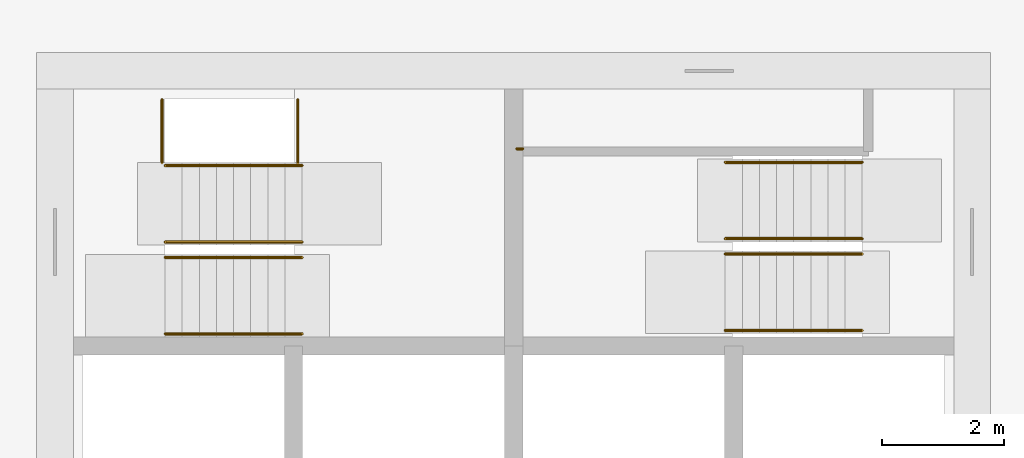
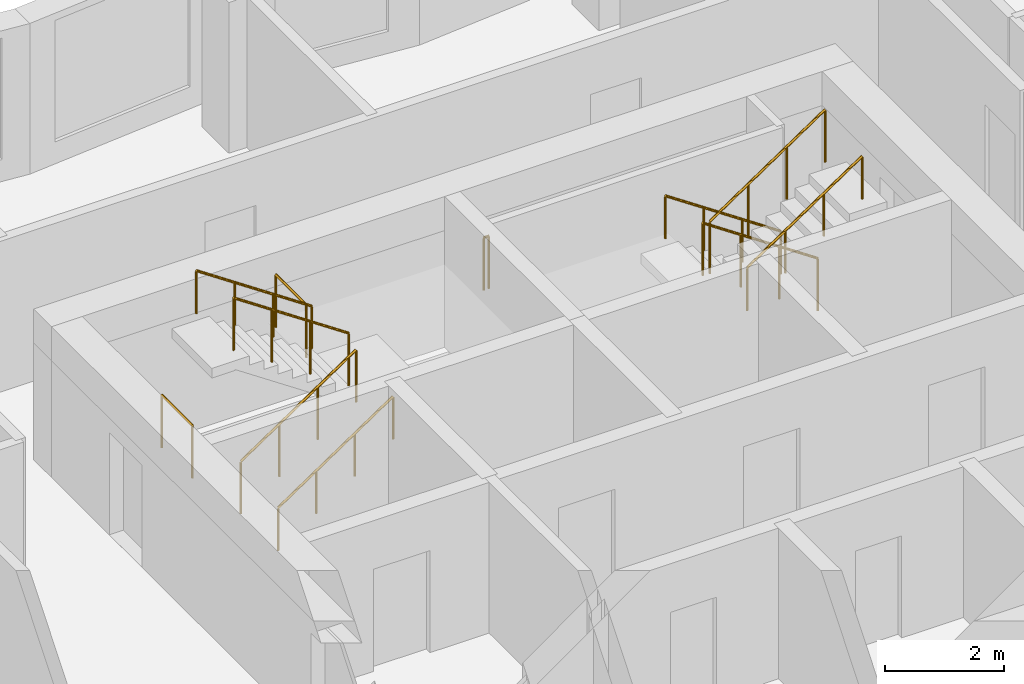
# One storey, part 11 of 12: 11 railings.
"""IFC4 building model written with IfcOpenShell, lengths in metres."""

from ifc_helpers import new_model, si_unit, direction, frame, origin, origin_2d, place, context, subcontext, project, spatial, circle, extrude, material, type_object, element, save


model = new_model("IFC4")

# Units and contexts
model_context = context("Model", 3, precision=1e-05, world=origin(), true_north=direction((0.0, 1.0)))
body_context = subcontext(model_context, "Body", "Model", "MODEL_VIEW")
ifc_project = project(units=[si_unit("LENGTHUNIT", "METRE"), si_unit("AREAUNIT", "SQUARE_METRE"), si_unit("VOLUMEUNIT", "CUBIC_METRE"), si_unit("PLANEANGLEUNIT", "RADIAN"), si_unit("MASSUNIT", "GRAM", prefix="KILO")], contexts=[model_context])

# Site, building, storey
site_placement = place(None, origin())
site = spatial("IfcSite", under=ifc_project, at=site_placement, CompositionType="ELEMENT")
building_placement = place(site_placement, origin())
building = spatial("IfcBuilding", under=site, at=building_placement, Name="Windrow Commons", CompositionType="ELEMENT")
storey_placement = place(building_placement, frame((0.0, 0.0, 142.2)))
storey = spatial("IfcBuildingStorey", under=building, at=storey_placement, Name="L38", CompositionType="ELEMENT", Elevation=142.2)

# Railings
ifc_material_1 = material(Name="Steel S355", Category="steel")
railing_type_1 = type_object("IfcRailingType", Name="Core stair guard 1100", PredefinedType="GUARDRAIL", material=ifc_material_1)
railing_1_placement = place(storey_placement, frame((59.1, 62.05, 0.1889)))
element("IfcRailing", 1, at=railing_1_placement, inside=storey, type_object=railing_type_1, Name="L38 ST-A1 stair guard 1", PredefinedType="GUARDRAIL", context=body_context, shape_type="SweptSolid", body=[
    extrude(circle(Radius=0.024, at=origin_2d()), frame((0.0, 0.0, 1.076), z_axis=(0.8290030985, 0.0, 0.5592440099), x_axis=(0.0, 1.0, 0.0)), (0.0, 0.0, 1.0), 2.702),
    extrude(circle(Radius=0.021, at=origin_2d()), origin(), (0.0, 0.0, 1.0), 1.052),
    extrude(circle(Radius=0.021, at=origin_2d()), frame((0.7467, 0.0, 0.5037)), (0.0, 0.0, 1.0), 1.052),
    extrude(circle(Radius=0.021, at=origin_2d()), frame((1.4933, 0.0, 1.0074)), (0.0, 0.0, 1.0), 1.052),
    extrude(circle(Radius=0.021, at=origin_2d()), frame((2.24, 0.0, 1.5111)), (0.0, 0.0, 1.0), 1.052),
])
railing_2_placement = place(storey_placement, frame((61.34, 62.3, 1.8889)))
element("IfcRailing", 2, at=railing_2_placement, inside=storey, type_object=railing_type_1, Name="L38 ST-A1 stair guard 2", PredefinedType="GUARDRAIL", context=body_context, shape_type="SweptSolid", body=[
    extrude(circle(Radius=0.024, at=origin_2d()), frame((0.0, 0.0, 1.076), z_axis=(-0.8290030985, 0.0, 0.5592440099), x_axis=(0.0, -1.0, 0.0)), (0.0, 0.0, 1.0), 2.702),
    extrude(circle(Radius=0.021, at=origin_2d()), origin(), (0.0, 0.0, 1.0), 1.052),
    extrude(circle(Radius=0.021, at=origin_2d()), frame((-0.7467, 0.0, 0.5037)), (0.0, 0.0, 1.0), 1.052),
    extrude(circle(Radius=0.021, at=origin_2d()), frame((-1.4933, 0.0, 1.0074)), (0.0, 0.0, 1.0), 1.052),
    extrude(circle(Radius=0.021, at=origin_2d()), frame((-2.24, 0.0, 1.5111)), (0.0, 0.0, 1.0), 1.052),
])
for number, where, name in (
    (3, (59.05, 63.6, 0.0), "L38 ST-A1 stair guard 3"),
    (4, (61.27, 63.6, 1.7), "L38 ST-A1 stair guard 4"),
):
    element("IfcRailing", number, at=place(storey_placement, frame(where)), inside=storey, type_object=railing_type_1, Name=name, PredefinedType="GUARDRAIL", context=body_context, shape_type="SweptSolid", body=[
        extrude(circle(Radius=0.024, at=origin_2d()), frame((0.0, 0.0, 1.076), z_axis=(0.0, 1.0, 0.0), x_axis=(-1.0, 0.0, 0.0)), (0.0, 0.0, 1.0), 1.03),
        extrude(circle(Radius=0.021, at=origin_2d()), origin(), (0.0, 0.0, 1.0), 1.052),
        extrude(circle(Radius=0.021, at=origin_2d()), frame((0.0, 1.03, 0.0)), (0.0, 0.0, 1.0), 1.052),
    ])
railing_3_placement = place(storey_placement, frame((70.5, 62.355, 0.1889)))
element("IfcRailing", 5, at=railing_3_placement, inside=storey, type_object=railing_type_1, Name="L38 ST-A2 stair guard 1", PredefinedType="GUARDRAIL", context=body_context, shape_type="SweptSolid", body=[
    extrude(circle(Radius=0.024, at=origin_2d()), frame((0.0, 0.0, 1.076), z_axis=(-0.8290030985, 0.0, 0.5592440099), x_axis=(0.0, -1.0, 0.0)), (0.0, 0.0, 1.0), 2.702),
    extrude(circle(Radius=0.021, at=origin_2d()), origin(), (0.0, 0.0, 1.0), 1.052),
    extrude(circle(Radius=0.021, at=origin_2d()), frame((-0.7467, 0.0, 0.5037)), (0.0, 0.0, 1.0), 1.052),
    extrude(circle(Radius=0.021, at=origin_2d()), frame((-1.4933, 0.0, 1.0074)), (0.0, 0.0, 1.0), 1.052),
    extrude(circle(Radius=0.021, at=origin_2d()), frame((-2.24, 0.0, 1.5111)), (0.0, 0.0, 1.0), 1.052),
])
railing_4_placement = place(storey_placement, frame((68.26, 62.105, 1.8889)))
element("IfcRailing", 6, at=railing_4_placement, inside=storey, type_object=railing_type_1, Name="L38 ST-A2 stair guard 2", PredefinedType="GUARDRAIL", context=body_context, shape_type="SweptSolid", body=[
    extrude(circle(Radius=0.024, at=origin_2d()), frame((0.0, 0.0, 1.076), z_axis=(0.8290030985, 0.0, 0.5592440099), x_axis=(0.0, 1.0, 0.0)), (0.0, 0.0, 1.0), 2.702),
    extrude(circle(Radius=0.021, at=origin_2d()), origin(), (0.0, 0.0, 1.0), 1.052),
    extrude(circle(Radius=0.021, at=origin_2d()), frame((0.7467, 0.0, 0.5037)), (0.0, 0.0, 1.0), 1.052),
    extrude(circle(Radius=0.021, at=origin_2d()), frame((1.4933, 0.0, 1.0074)), (0.0, 0.0, 1.0), 1.052),
    extrude(circle(Radius=0.021, at=origin_2d()), frame((2.24, 0.0, 1.5111)), (0.0, 0.0, 1.0), 1.052),
])
railing_5_placement = place(storey_placement, frame((64.95, 63.825, 1.7)))
element("IfcRailing", 7, at=railing_5_placement, inside=storey, type_object=railing_type_1, Name="L38 ST-A2 stair guard 3", PredefinedType="GUARDRAIL", context=body_context, shape_type="SweptSolid", body=[
    extrude(circle(Radius=0.024, at=origin_2d()), frame((0.0, 0.0, 1.076), z_axis=(-1.0, 0.0, 0.0), x_axis=(0.0, -1.0, 0.0)), (0.0, 0.0, 1.0), 0.1),
    extrude(circle(Radius=0.021, at=origin_2d()), origin(), (0.0, 0.0, 1.0), 1.052),
    extrude(circle(Radius=0.021, at=origin_2d()), frame((-0.1, 0.0, 0.0)), (0.0, 0.0, 1.0), 1.052),
])
ifc_material_2 = material(Name="Steel S355", Category="steel")
railing_type_2 = type_object("IfcRailingType", Name="Core stair handrail 900", PredefinedType="HANDRAIL", material=ifc_material_2)
railing_6_placement = place(storey_placement, frame((59.1, 60.8, 0.1889)))
element("IfcRailing", 8, at=railing_6_placement, inside=storey, type_object=railing_type_2, Name="L38 ST-A1 stair handrail 1", PredefinedType="HANDRAIL", context=body_context, shape_type="SweptSolid", body=[
    extrude(circle(Radius=0.024, at=origin_2d()), frame((0.0, 0.0, 0.876), z_axis=(0.8290030985, 0.0, 0.5592440099), x_axis=(0.0, 1.0, 0.0)), (0.0, 0.0, 1.0), 2.702),
    extrude(circle(Radius=0.021, at=origin_2d()), origin(), (0.0, 0.0, 1.0), 0.852),
    extrude(circle(Radius=0.021, at=origin_2d()), frame((0.7467, 0.0, 0.5037)), (0.0, 0.0, 1.0), 0.852),
    extrude(circle(Radius=0.021, at=origin_2d()), frame((1.4933, 0.0, 1.0074)), (0.0, 0.0, 1.0), 0.852),
    extrude(circle(Radius=0.021, at=origin_2d()), frame((2.24, 0.0, 1.5111)), (0.0, 0.0, 1.0), 0.852),
])
for number, where, name in (
    (9, (61.34, 63.55, 1.8889), "L38 ST-A1 stair handrail 2"),
    (10, (70.5, 63.605, 0.1889), "L38 ST-A2 stair handrail 1"),
):
    element("IfcRailing", number, at=place(storey_placement, frame(where)), inside=storey, type_object=railing_type_2, Name=name, PredefinedType="HANDRAIL", context=body_context, shape_type="SweptSolid", body=[
        extrude(circle(Radius=0.024, at=origin_2d()), frame((0.0, 0.0, 0.876), z_axis=(-0.8290030985, 0.0, 0.5592440099), x_axis=(0.0, -1.0, 0.0)), (0.0, 0.0, 1.0), 2.702),
        extrude(circle(Radius=0.021, at=origin_2d()), origin(), (0.0, 0.0, 1.0), 0.852),
        extrude(circle(Radius=0.021, at=origin_2d()), frame((-0.7467, 0.0, 0.5037)), (0.0, 0.0, 1.0), 0.852),
        extrude(circle(Radius=0.021, at=origin_2d()), frame((-1.4933, 0.0, 1.0074)), (0.0, 0.0, 1.0), 0.852),
        extrude(circle(Radius=0.021, at=origin_2d()), frame((-2.24, 0.0, 1.5111)), (0.0, 0.0, 1.0), 0.852),
    ])
railing_7_placement = place(storey_placement, frame((68.26, 60.855, 1.8889)))
element("IfcRailing", 11, at=railing_7_placement, inside=storey, type_object=railing_type_2, Name="L38 ST-A2 stair handrail 2", PredefinedType="HANDRAIL", context=body_context, shape_type="SweptSolid", body=[
    extrude(circle(Radius=0.024, at=origin_2d()), frame((0.0, 0.0, 0.876), z_axis=(0.8290030985, 0.0, 0.5592440099), x_axis=(0.0, 1.0, 0.0)), (0.0, 0.0, 1.0), 2.702),
    extrude(circle(Radius=0.021, at=origin_2d()), origin(), (0.0, 0.0, 1.0), 0.852),
    extrude(circle(Radius=0.021, at=origin_2d()), frame((0.7467, 0.0, 0.5037)), (0.0, 0.0, 1.0), 0.852),
    extrude(circle(Radius=0.021, at=origin_2d()), frame((1.4933, 0.0, 1.0074)), (0.0, 0.0, 1.0), 0.852),
    extrude(circle(Radius=0.021, at=origin_2d()), frame((2.24, 0.0, 1.5111)), (0.0, 0.0, 1.0), 0.852),
])

save(model, "model.ifc")
